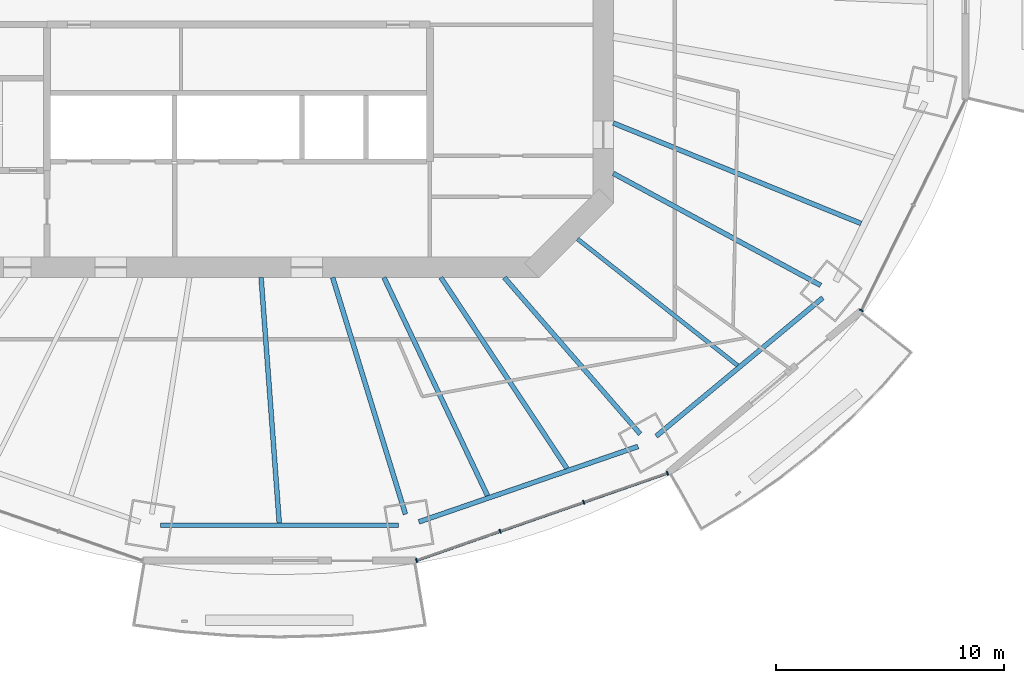
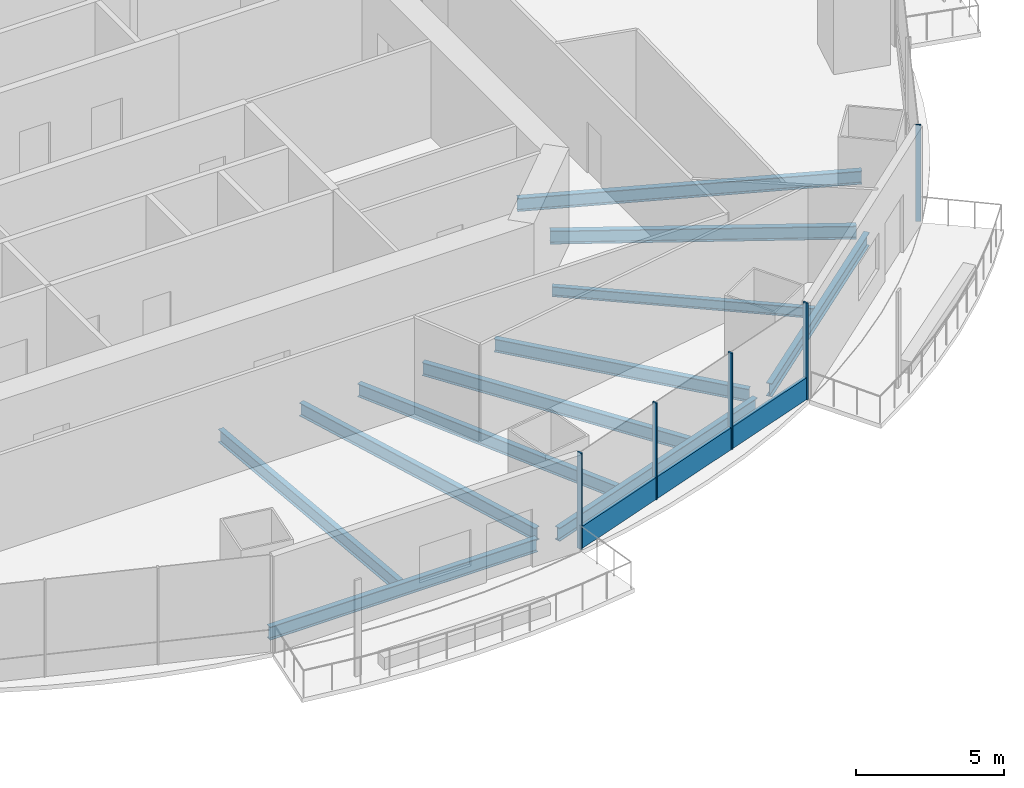
# One storey, part 4 of 19: 11 beams, 6 members, 2 elements without a shape of their own.
"""IFC4 building model written with IfcOpenShell, lengths in metres."""

from ifc_helpers import new_model, si_unit, direction, frame, origin, origin_2d, place, context, subcontext, project, spatial, rectangle, i_section, extrude, material, material_profile, profile_set, type_object, element, aggregate, save


model = new_model("IFC4")

# Units and contexts
model_context = context("Model", 3, precision=1e-05, world=origin(), true_north=direction((0.0, 1.0)))
body_context = subcontext(model_context, "Body", "Model", "MODEL_VIEW")
ifc_project = project(units=[si_unit("LENGTHUNIT", "METRE"), si_unit("AREAUNIT", "SQUARE_METRE"), si_unit("VOLUMEUNIT", "CUBIC_METRE"), si_unit("PLANEANGLEUNIT", "RADIAN"), si_unit("MASSUNIT", "GRAM", prefix="KILO")], contexts=[model_context])

# Site, building, storey
site_placement = place(None, origin())
site = spatial("IfcSite", under=ifc_project, at=site_placement, CompositionType="ELEMENT")
building_placement = place(site_placement, origin())
building = spatial("IfcBuilding", under=site, at=building_placement, Name="Marenthal Gate Tower", CompositionType="ELEMENT")
storey_placement = place(building_placement, frame((0.0, 0.0, 227.449951171875)))
storey = spatial("IfcBuildingStorey", under=building, at=storey_placement, Name="L50", CompositionType="ELEMENT", Elevation=227.449951171875)

# Curtain wall, members
ifc_material_1 = material(Name="Aluminium and glass", Category="aluminium")
curtain_wall_type = type_object("IfcCurtainWallType", Name="Curtain wall typical mid", PredefinedType="NOTDEFINED", material=ifc_material_1)
curtain_wall_1_placement = place(storey_placement, origin())
curtain_wall_1 = element("IfcCurtainWall", 1, at=curtain_wall_1_placement, inside=storey, type_object=curtain_wall_type, Name="Curtain wall L50 bay 13", PredefinedType="NOTDEFINED")
ifc_material_2 = material(Name="Aluminium", Category="aluminium")
ifc_material_profile_1 = material_profile(ifc_material_2, rectangle(XDim=0.179931640625, YDim=0.06005859375, at=origin_2d()), Name="60x180 aluminium mullion")
ifc_profile_set_1 = profile_set([ifc_material_profile_1], Name="Aluminium")
member_type_1 = type_object("IfcMemberType", Name="Mullion 60x180 typical mid", PredefinedType="MULLION", material=ifc_profile_set_1)
member_1_placement = place(storey_placement, frame((7.815185546875, -25.860107421875, 0.0), z_axis=(0.0, 0.0, 1.0), x_axis=(-0.328467970612, 0.94451510961, 0.0)))
member_1 = element("IfcMember", 2, at=member_1_placement, type_object=member_type_1, Name="Mullion L50 bay 13.1", PredefinedType="MULLION", context=body_context, shape_type="SweptSolid", body=[
    extrude(rectangle(XDim=0.179931640625, YDim=0.06005859375, at=origin_2d()), origin(), (0.0, 0.0, 1.0), 3.969970703125),
])
member_2_placement = place(storey_placement, frame((11.48388671875, -24.584228515625, 0.0), z_axis=(0.0, 0.0, 1.0), x_axis=(-0.328467970612, 0.94451510961, 0.0)))
member_2 = element("IfcMember", 3, at=member_2_placement, type_object=member_type_1, Name="Mullion L50 bay 13.2", PredefinedType="MULLION", context=body_context, shape_type="SweptSolid", body=[
    extrude(rectangle(XDim=0.179931640625, YDim=0.06005859375, at=origin_2d()), origin(), (0.0, 0.0, 1.0), 3.969970703125),
])
member_3_placement = place(storey_placement, frame((15.15234375, -23.308349609375, 0.0), z_axis=(0.0, 0.0, 1.0), x_axis=(-0.328467970612, 0.94451510961, 0.0)))
member_3 = element("IfcMember", 4, at=member_3_placement, type_object=member_type_1, Name="Mullion L50 bay 13.3", PredefinedType="MULLION", context=body_context, shape_type="SweptSolid", body=[
    extrude(rectangle(XDim=0.179931640625, YDim=0.06005859375, at=origin_2d()), origin(), (0.0, 0.0, 1.0), 3.969970703125),
])
member_4_placement = place(storey_placement, frame((18.821044921875, -22.03271484375, 0.0), z_axis=(0.0, 0.0, 1.0), x_axis=(-0.328467970612, 0.94451510961, 0.0)))
member_4 = element("IfcMember", 5, at=member_4_placement, type_object=member_type_1, Name="Mullion L50 bay 13.4", PredefinedType="MULLION", context=body_context, shape_type="SweptSolid", body=[
    extrude(rectangle(XDim=0.179931640625, YDim=0.06005859375, at=origin_2d()), origin(), (0.0, 0.0, 1.0), 3.969970703125),
])

# Curtain wall, member
curtain_wall_2_placement = place(storey_placement, origin())
curtain_wall_2 = element("IfcCurtainWall", 6, at=curtain_wall_2_placement, inside=storey, type_object=curtain_wall_type, Name="Curtain wall L50 bay 15", PredefinedType="NOTDEFINED")
member_5_placement = place(storey_placement, frame((27.329345703125, -14.887451171875, 0.0), z_axis=(0.0, 0.0, 1.0), x_axis=(-0.896797507361, 0.442441217329, 0.0)))
member_5 = element("IfcMember", 7, at=member_5_placement, type_object=member_type_1, Name="Mullion L50 bay 15.1", PredefinedType="MULLION", context=body_context, shape_type="SweptSolid", body=[
    extrude(rectangle(XDim=0.179931640625, YDim=0.06005859375, at=origin_2d()), origin(), (0.0, 0.0, 1.0), 3.969970703125),
])
aggregate(curtain_wall_2, [member_5])

# Member
ifc_material_3 = material(Name="Aluminium", Category="aluminium")
ifc_material_profile_2 = material_profile(ifc_material_3, rectangle(XDim=0.1201171875, YDim=0.89990234375, at=origin_2d()), Name="120x900 aluminium transom")
ifc_profile_set_2 = profile_set([ifc_material_profile_2], Name="Aluminium")
member_type_2 = type_object("IfcMemberType", Name="Transom 120x900 typical mid", PredefinedType="USERDEFINED", material=ifc_profile_set_2)
member_6_placement = place(storey_placement, frame((7.843505859375, -25.85009765625, 0.449951171875), z_axis=(0.944518387827, 0.328458543894, 0.0), x_axis=(-0.328458543894, 0.944518387827, 0.0)))
member_6 = element("IfcMember", 8, at=member_6_placement, type_object=member_type_2, Name="Transom L50 bay 13", ObjectType="TRANSOM", PredefinedType="USERDEFINED", context=body_context, shape_type="SweptSolid", body=[
    extrude(rectangle(XDim=0.1201171875, YDim=0.89990234375, at=origin_2d()), origin(), (0.0, 0.0, 1.0), 11.59228515625),
])

aggregate(curtain_wall_1, [member_1, member_2, member_3, member_4, member_6])

# Beams
ifc_material_4 = material(Name="Steel S355", Category="steel")
ifc_material_profile_3 = material_profile(ifc_material_4, i_section(OverallWidth=0.180908203125, OverallDepth=0.4169921875, WebThickness=0.010986328125, FlangeThickness=0.018310546875, FilletRadius=0.01025390625, at=origin_2d()), Name="W410X85")
ifc_profile_set_3 = profile_set([ifc_material_profile_3], Name="Steel S355")
beam_type_1 = type_object("IfcBeamType", Name="W410X85 beam", PredefinedType="BEAM", material=ifc_profile_set_3)
beam_1_placement = place(storey_placement, frame((21.90185546875, -17.3056640625, -0.388427734375), z_axis=(-0.784622950909, 0.619973245316, 0.0), x_axis=(-0.619973245316, -0.784622950909, 0.0)))
element("IfcBeam", 9, at=beam_1_placement, inside=storey, type_object=beam_type_1, Name="BM-L50-37", PredefinedType="BEAM", context=body_context, shape_type="SweptSolid", body=[
    extrude(i_section(OverallWidth=0.180908203125, OverallDepth=0.4169921875, WebThickness=0.010986328125, FlangeThickness=0.018310546875, FilletRadius=0.01025390625, at=origin_2d()), origin(), (0.0, 0.0, 1.0), 8.9501953125),
])
ifc_material_5 = material(Name="Steel S355", Category="steel")
ifc_material_profile_4 = material_profile(ifc_material_5, i_section(OverallWidth=0.2099609375, OverallDepth=0.535888671875, WebThickness=0.010986328125, FlangeThickness=0.017333984375, FilletRadius=0.0126953125, at=origin_2d()), Name="W530X101")
ifc_profile_set_4 = profile_set([ifc_material_profile_4], Name="Steel S355")
beam_type_2 = type_object("IfcBeamType", Name="W530X101 beam", PredefinedType="BEAM", material=ifc_profile_set_4)
beam_2_placement = place(storey_placement, frame((17.62939453125, -20.314697265625, -0.447998046875), z_axis=(-0.655422273477, 0.755262632089, 0.0), x_axis=(-0.755262632089, -0.655422273477, 0.0)))
element("IfcBeam", 10, at=beam_2_placement, inside=storey, type_object=beam_type_2, Name="BM-L50-14", PredefinedType="BEAM", context=body_context, shape_type="SweptSolid", body=[
    extrude(i_section(OverallWidth=0.2099609375, OverallDepth=0.535888671875, WebThickness=0.010986328125, FlangeThickness=0.017333984375, FilletRadius=0.0126953125, at=origin_2d()), origin(), (0.0, 0.0, 1.0), 9.089111328125),
])
beam_3_placement = place(storey_placement, frame((1.792236328125, -24.21435546875, -0.447998046875), z_axis=(-0.073804200104, 0.99727275108, 0.0), x_axis=(-0.99727275108, -0.073804200104, 0.0)))
element("IfcBeam", 11, at=beam_3_placement, inside=storey, type_object=beam_type_2, Name="BM-L50-34", PredefinedType="BEAM", context=body_context, shape_type="SweptSolid", body=[
    extrude(i_section(OverallWidth=0.2099609375, OverallDepth=0.535888671875, WebThickness=0.010986328125, FlangeThickness=0.017333984375, FilletRadius=0.0126953125, at=origin_2d()), origin(), (0.0, 0.0, 1.0), 10.7939453125),
])
beam_4_placement = place(storey_placement, frame((10.930419921875, -23.020263671875, -0.447998046875), z_axis=(-0.428906389913, 0.903348940715, 0.0), x_axis=(-0.903348940715, -0.428906389913, 0.0)))
element("IfcBeam", 12, at=beam_4_placement, inside=storey, type_object=beam_type_2, Name="BM-L50-35", PredefinedType="BEAM", context=body_context, shape_type="SweptSolid", body=[
    extrude(i_section(OverallWidth=0.2099609375, OverallDepth=0.535888671875, WebThickness=0.010986328125, FlangeThickness=0.017333984375, FilletRadius=0.0126953125, at=origin_2d()), origin(), (0.0, 0.0, 1.0), 10.59423828125),
])
beam_5_placement = place(storey_placement, frame((14.41357421875, -21.821533203125, -0.447998046875), z_axis=(-0.551140500108, 0.834412457446, 0.0), x_axis=(-0.834412457446, -0.551140500108, 0.0)))
element("IfcBeam", 13, at=beam_5_placement, inside=storey, type_object=beam_type_2, Name="BM-L50-36", PredefinedType="BEAM", context=body_context, shape_type="SweptSolid", body=[
    extrude(i_section(OverallWidth=0.2099609375, OverallDepth=0.535888671875, WebThickness=0.010986328125, FlangeThickness=0.017333984375, FilletRadius=0.0126953125, at=origin_2d()), origin(), (0.0, 0.0, 1.0), 10.032958984375),
])
ifc_material_6 = material(Name="Steel S355", Category="steel")
ifc_material_profile_5 = material_profile(ifc_material_6, i_section(OverallWidth=0.2119140625, OverallDepth=0.5439453125, WebThickness=0.01318359375, FlangeThickness=0.021240234375, FilletRadius=0.0126953125, at=origin_2d()), Name="W530X123")
ifc_profile_set_5 = profile_set([ifc_material_profile_5], Name="Steel S355")
beam_type_3 = type_object("IfcBeamType", Name="W530X123 beam", PredefinedType="BEAM", material=ifc_profile_set_5)
beam_6_placement = place(storey_placement, frame((7.3291015625, -23.833740234375, -0.451904296875), z_axis=(-0.293926346107, 0.955828071917, 0.0), x_axis=(-0.955828071917, -0.293926346107, 0.0)))
element("IfcBeam", 14, at=beam_6_placement, inside=storey, type_object=beam_type_3, Name="BM-L50-13", PredefinedType="BEAM", context=body_context, shape_type="SweptSolid", body=[
    extrude(i_section(OverallWidth=0.2119140625, OverallDepth=0.5439453125, WebThickness=0.01318359375, FlangeThickness=0.021240234375, FilletRadius=0.0126953125, at=origin_2d()), origin(), (0.0, 0.0, 1.0), 10.86376953125),
])
beam_7_placement = place(storey_placement, frame((25.547607421875, -13.791015625, -0.451904296875), z_axis=(-0.879970155626, 0.475028973019, 0.0), x_axis=(-0.475028973019, -0.879970155626, 0.0)))
element("IfcBeam", 15, at=beam_7_placement, inside=storey, type_object=beam_type_3, Name="BM-L50-15", PredefinedType="BEAM", context=body_context, shape_type="SweptSolid", body=[
    extrude(i_section(OverallWidth=0.2119140625, OverallDepth=0.5439453125, WebThickness=0.01318359375, FlangeThickness=0.021240234375, FilletRadius=0.0126953125, at=origin_2d()), origin(), (0.0, 0.0, 1.0), 10.338623046875),
])
beam_8_placement = place(storey_placement, frame((27.321533203125, -11.077880859375, -0.451904296875), z_axis=(-0.926722620967, 0.375746169359, 0.0), x_axis=(-0.375746169359, -0.926722620967, 0.0)))
element("IfcBeam", 16, at=beam_8_placement, inside=storey, type_object=beam_type_3, Name="BM-L50-38", PredefinedType="BEAM", context=body_context, shape_type="SweptSolid", body=[
    extrude(i_section(OverallWidth=0.2119140625, OverallDepth=0.5439453125, WebThickness=0.01318359375, FlangeThickness=0.021240234375, FilletRadius=0.0126953125, at=origin_2d()), origin(), (0.0, 0.0, 1.0), 11.731201171875),
])
beam_9_placement = place(storey_placement, frame((-3.415771484375, -24.3203125, -0.451904296875), z_axis=(1.0, 0.0, 0.0), x_axis=(0.0, 1.0, 0.0)))
element("IfcBeam", 17, at=beam_9_placement, inside=storey, type_object=beam_type_3, Name="BM-L50-52", PredefinedType="BEAM", context=body_context, shape_type="SweptSolid", body=[
    extrude(i_section(OverallWidth=0.2119140625, OverallDepth=0.5439453125, WebThickness=0.01318359375, FlangeThickness=0.021240234375, FilletRadius=0.0126953125, at=origin_2d()), origin(), (0.0, 0.0, 1.0), 10.431640625),
])
beam_10_placement = place(storey_placement, frame((7.9169921875, -24.16943359375, -0.451904296875), z_axis=(0.945567746604, 0.325425316443, 0.0), x_axis=(-0.325425316443, 0.945567746604, 0.0)))
element("IfcBeam", 18, at=beam_10_placement, inside=storey, type_object=beam_type_3, Name="BM-L50-53", PredefinedType="BEAM", context=body_context, shape_type="SweptSolid", body=[
    extrude(i_section(OverallWidth=0.2119140625, OverallDepth=0.5439453125, WebThickness=0.01318359375, FlangeThickness=0.021240234375, FilletRadius=0.0126953125, at=origin_2d()), origin(), (0.0, 0.0, 1.0), 10.16845703125),
])
beam_11_placement = place(storey_placement, frame((18.33056640625, -20.410888671875, -0.451904296875), z_axis=(0.769144726812, 0.639074635091, 0.0), x_axis=(-0.639074635091, 0.769144726812, 0.0)))
element("IfcBeam", 19, at=beam_11_placement, inside=storey, type_object=beam_type_3, Name="BM-L50-54", PredefinedType="BEAM", context=body_context, shape_type="SweptSolid", body=[
    extrude(i_section(OverallWidth=0.2119140625, OverallDepth=0.5439453125, WebThickness=0.01318359375, FlangeThickness=0.021240234375, FilletRadius=0.0126953125, at=origin_2d()), origin(), (0.0, 0.0, 1.0), 9.505126953125),
])

save(model, "model.ifc")
